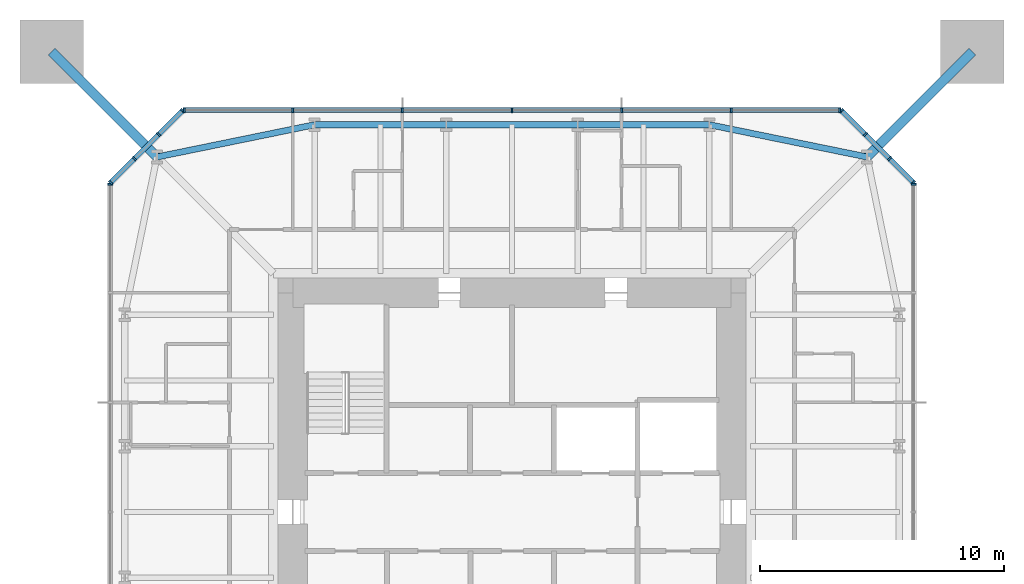
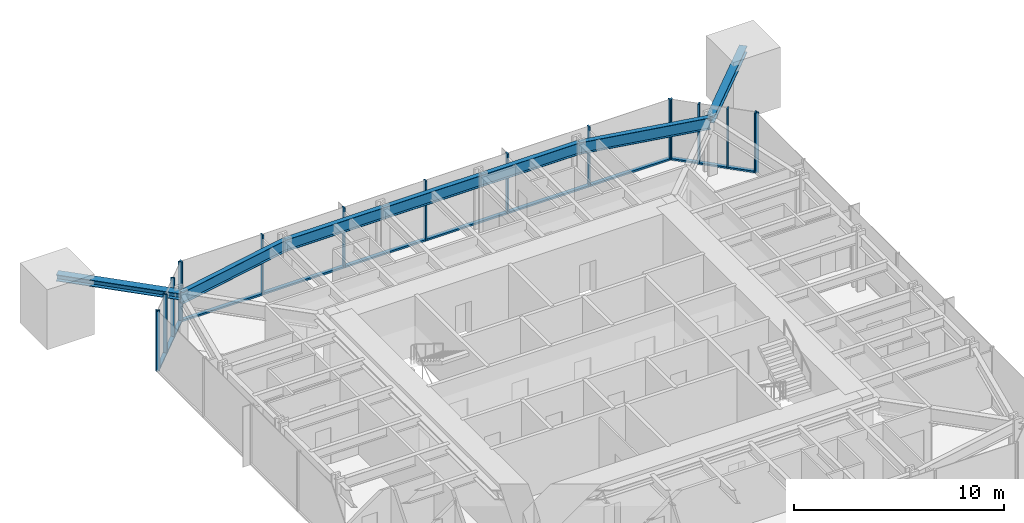
# One storey, part 4 of 9: 31 members, 5 beams, 5 elements without a shape of their own.
"""IFC4 building model written with IfcOpenShell, lengths in metres."""

from ifc_helpers import new_model, si_unit, direction, frame, origin, origin_2d, place, context, subcontext, project, spatial, rectangle, i_section, extrude, material, material_profile, profile_set, type_object, element, aggregate, save


model = new_model("IFC4")

# Units and contexts
model_context = context("Model", 3, precision=1e-05, world=origin(), true_north=direction((0.0, 1.0)))
body_context = subcontext(model_context, "Body", "Model", "MODEL_VIEW")
ifc_project = project(units=[si_unit("LENGTHUNIT", "METRE"), si_unit("AREAUNIT", "SQUARE_METRE"), si_unit("VOLUMEUNIT", "CUBIC_METRE"), si_unit("PLANEANGLEUNIT", "RADIAN"), si_unit("MASSUNIT", "GRAM", prefix="KILO")], contexts=[model_context])

# Site, building, storey
site_placement = place(None, origin())
site = spatial("IfcSite", under=ifc_project, at=site_placement, CompositionType="ELEMENT")
building_placement = place(site_placement, origin())
building = spatial("IfcBuilding", under=site, at=building_placement, Name="Iwan Alto Co-Living Towers", CompositionType="ELEMENT")
storey_placement = place(building_placement, frame((0.0, 0.0, 243.0)))
storey = spatial("IfcBuildingStorey", under=building, at=storey_placement, Name="L66", CompositionType="ELEMENT", Elevation=243.0)

# Curtain wall, member
ifc_material_1 = material(Name="Bronze aluminium unitised frame", Category="aluminium")
curtain_wall_type_1 = type_object("IfcCurtainWallType", Name="CURTAIN WALL CW-A", PredefinedType="NOTDEFINED", material=ifc_material_1)
curtain_wall_1_placement = place(storey_placement, origin())
curtain_wall_1 = element("IfcCurtainWall", 1, at=curtain_wall_1_placement, inside=storey, type_object=curtain_wall_type_1, Name="T1 curtain wall E L66", PredefinedType="NOTDEFINED")
ifc_material_2 = material(Name="Aluminium 6063-T6 bronze anodised", Category="aluminium")
ifc_material_profile_1 = material_profile(ifc_material_2, rectangle(XDim=0.199951171875, YDim=0.080078125, at=origin_2d()), Name="AL 80X200")
ifc_profile_set_1 = profile_set([ifc_material_profile_1], Name="Aluminium 6063-T6 bronze anodised")
member_type_1 = type_object("IfcMemberType", Name="CW-A MULLION 80X200", PredefinedType="MULLION", material=ifc_profile_set_1)
member_1_placement = place(storey_placement, frame((16.5, 13.4599609375, 0.0), z_axis=(0.0, 0.0, 1.0), x_axis=(-1.0, 0.0, 0.0)))
member_1 = element("IfcMember", 2, at=member_1_placement, type_object=member_type_1, Name="CW-A mullion 7", PredefinedType="MULLION", context=body_context, shape_type="SweptSolid", body=[
    extrude(rectangle(XDim=0.199951171875, YDim=0.080078125, at=origin_2d()), origin(), (0.0, 0.0, 1.0), 3.5),
])
aggregate(curtain_wall_1, [member_1])

# Curtain wall, members
curtain_wall_2_placement = place(storey_placement, origin())
curtain_wall_2 = element("IfcCurtainWall", 3, at=curtain_wall_2_placement, inside=storey, type_object=curtain_wall_type_1, Name="T1 curtain wall N L66", PredefinedType="NOTDEFINED")
member_2_placement = place(storey_placement, frame((13.4599609375, 16.5, 0.0), z_axis=(0.0, 0.0, 1.0), x_axis=(0.0, -1.0, 0.0)))
member_2 = element("IfcMember", 4, at=member_2_placement, type_object=member_type_1, Name="CW-A mullion 1", PredefinedType="MULLION", context=body_context, shape_type="SweptSolid", body=[
    extrude(rectangle(XDim=0.199951171875, YDim=0.080078125, at=origin_2d()), origin(), (0.0, 0.0, 1.0), 3.5),
])
member_3_placement = place(storey_placement, frame((9.0, 16.5, 0.0), z_axis=(0.0, 0.0, 1.0), x_axis=(0.0, -1.0, 0.0)))
member_3 = element("IfcMember", 5, at=member_3_placement, type_object=member_type_1, Name="CW-A mullion 2", PredefinedType="MULLION", context=body_context, shape_type="SweptSolid", body=[
    extrude(rectangle(XDim=0.199951171875, YDim=0.080078125, at=origin_2d()), origin(), (0.0, 0.0, 1.0), 3.5),
])
member_4_placement = place(storey_placement, frame((4.5, 16.5, 0.0), z_axis=(0.0, 0.0, 1.0), x_axis=(0.0, -1.0, 0.0)))
member_4 = element("IfcMember", 6, at=member_4_placement, type_object=member_type_1, Name="CW-A mullion 3", PredefinedType="MULLION", context=body_context, shape_type="SweptSolid", body=[
    extrude(rectangle(XDim=0.199951171875, YDim=0.080078125, at=origin_2d()), origin(), (0.0, 0.0, 1.0), 3.5),
])
member_5_placement = place(storey_placement, frame((0.0, 16.5, 0.0), z_axis=(0.0, 0.0, 1.0), x_axis=(0.0, -1.0, 0.0)))
member_5 = element("IfcMember", 7, at=member_5_placement, type_object=member_type_1, Name="CW-A mullion 4", PredefinedType="MULLION", context=body_context, shape_type="SweptSolid", body=[
    extrude(rectangle(XDim=0.199951171875, YDim=0.080078125, at=origin_2d()), origin(), (0.0, 0.0, 1.0), 3.5),
])
member_6_placement = place(storey_placement, frame((-4.5, 16.5, 0.0), z_axis=(0.0, 0.0, 1.0), x_axis=(0.0, -1.0, 0.0)))
member_6 = element("IfcMember", 8, at=member_6_placement, type_object=member_type_1, Name="CW-A mullion 5", PredefinedType="MULLION", context=body_context, shape_type="SweptSolid", body=[
    extrude(rectangle(XDim=0.199951171875, YDim=0.080078125, at=origin_2d()), origin(), (0.0, 0.0, 1.0), 3.5),
])
member_7_placement = place(storey_placement, frame((-9.0, 16.5, 0.0), z_axis=(0.0, 0.0, 1.0), x_axis=(0.0, -1.0, 0.0)))
member_7 = element("IfcMember", 9, at=member_7_placement, type_object=member_type_1, Name="CW-A mullion 6", PredefinedType="MULLION", context=body_context, shape_type="SweptSolid", body=[
    extrude(rectangle(XDim=0.199951171875, YDim=0.080078125, at=origin_2d()), origin(), (0.0, 0.0, 1.0), 3.5),
])
member_8_placement = place(storey_placement, frame((-13.4599609375, 16.5, 0.0), z_axis=(0.0, 0.0, 1.0), x_axis=(0.0, -1.0, 0.0)))
member_8 = element("IfcMember", 10, at=member_8_placement, type_object=member_type_1, Name="CW-A mullion 7", PredefinedType="MULLION", context=body_context, shape_type="SweptSolid", body=[
    extrude(rectangle(XDim=0.199951171875, YDim=0.080078125, at=origin_2d()), origin(), (0.0, 0.0, 1.0), 3.5),
])

# Curtain wall, member
curtain_wall_3_placement = place(storey_placement, origin())
curtain_wall_3 = element("IfcCurtainWall", 11, at=curtain_wall_3_placement, inside=storey, type_object=curtain_wall_type_1, Name="T1 curtain wall W L66", PredefinedType="NOTDEFINED")
member_9_placement = place(storey_placement, frame((-16.5, 13.4599609375, 0.0), z_axis=(0.0, 0.0, 1.0), x_axis=(1.0, 0.0, 0.0)))
member_9 = element("IfcMember", 12, at=member_9_placement, type_object=member_type_1, Name="CW-A mullion 1", PredefinedType="MULLION", context=body_context, shape_type="SweptSolid", body=[
    extrude(rectangle(XDim=0.199951171875, YDim=0.080078125, at=origin_2d()), origin(), (0.0, 0.0, 1.0), 3.5),
])
aggregate(curtain_wall_3, [member_9])

# Member
ifc_material_3 = material(Name="Aluminium 6063-T6 bronze anodised", Category="aluminium")
ifc_material_profile_2 = material_profile(ifc_material_3, rectangle(XDim=0.199951171875, YDim=0.10009765625, at=origin_2d()), Name="AL 200X100")
ifc_profile_set_2 = profile_set([ifc_material_profile_2], Name="Aluminium 6063-T6 bronze anodised")
member_type_2 = type_object("IfcMemberType", Name="CW-A TRANSOM 200X100", PredefinedType="USERDEFINED", material=ifc_profile_set_2)
member_10_placement = place(storey_placement, frame((13.419921875, 16.5, 0.050048828125), z_axis=(-1.0, 0.0, 0.0), x_axis=(0.0, -1.0, 0.0)))
member_10 = element("IfcMember", 13, at=member_10_placement, type_object=member_type_2, Name="CW-A transom 1.1", ObjectType="TRANSOM", PredefinedType="USERDEFINED", context=body_context, shape_type="SweptSolid", body=[
    extrude(rectangle(XDim=0.199951171875, YDim=0.10009765625, at=origin_2d()), origin(), (0.0, 0.0, 1.0), 4.3798828125),
])

member_11_placement = place(storey_placement, frame((8.9599609375, 16.5, 0.050048828125), z_axis=(-1.0, 0.0, 0.0), x_axis=(0.0, -1.0, 0.0)))
member_11 = element("IfcMember", 14, at=member_11_placement, type_object=member_type_2, Name="CW-A transom 2.1", ObjectType="TRANSOM", PredefinedType="USERDEFINED", context=body_context, shape_type="SweptSolid", body=[
    extrude(rectangle(XDim=0.199951171875, YDim=0.10009765625, at=origin_2d()), origin(), (0.0, 0.0, 1.0), 4.419921875),
])

member_12_placement = place(storey_placement, frame((4.4599609375, 16.5, 0.050048828125), z_axis=(-1.0, 0.0, 0.0), x_axis=(0.0, -1.0, 0.0)))
member_12 = element("IfcMember", 15, at=member_12_placement, type_object=member_type_2, Name="CW-A transom 3.1", ObjectType="TRANSOM", PredefinedType="USERDEFINED", context=body_context, shape_type="SweptSolid", body=[
    extrude(rectangle(XDim=0.199951171875, YDim=0.10009765625, at=origin_2d()), origin(), (0.0, 0.0, 1.0), 4.419921875),
])

member_13_placement = place(storey_placement, frame((-0.0400390625, 16.5, 0.050048828125), z_axis=(-1.0, 0.0, 0.0), x_axis=(0.0, -1.0, 0.0)))
member_13 = element("IfcMember", 16, at=member_13_placement, type_object=member_type_2, Name="CW-A transom 4.1", ObjectType="TRANSOM", PredefinedType="USERDEFINED", context=body_context, shape_type="SweptSolid", body=[
    extrude(rectangle(XDim=0.199951171875, YDim=0.10009765625, at=origin_2d()), origin(), (0.0, 0.0, 1.0), 4.419921875),
])

member_14_placement = place(storey_placement, frame((-4.5400390625, 16.5, 0.050048828125), z_axis=(-1.0, 0.0, 0.0), x_axis=(0.0, -1.0, 0.0)))
member_14 = element("IfcMember", 17, at=member_14_placement, type_object=member_type_2, Name="CW-A transom 5.1", ObjectType="TRANSOM", PredefinedType="USERDEFINED", context=body_context, shape_type="SweptSolid", body=[
    extrude(rectangle(XDim=0.199951171875, YDim=0.10009765625, at=origin_2d()), origin(), (0.0, 0.0, 1.0), 4.419921875),
])

member_15_placement = place(storey_placement, frame((-9.0400390625, 16.5, 0.050048828125), z_axis=(-1.0, 0.0, 0.0), x_axis=(0.0, -1.0, 0.0)))
member_15 = element("IfcMember", 18, at=member_15_placement, type_object=member_type_2, Name="CW-A transom 6.1", ObjectType="TRANSOM", PredefinedType="USERDEFINED", context=body_context, shape_type="SweptSolid", body=[
    extrude(rectangle(XDim=0.199951171875, YDim=0.10009765625, at=origin_2d()), origin(), (0.0, 0.0, 1.0), 4.3798828125),
])

aggregate(curtain_wall_2, [member_2, member_3, member_4, member_5, member_6, member_7, member_8, member_10, member_11, member_12, member_13, member_14, member_15])

# Curtain wall, members
ifc_material_4 = material(Name="Bronze aluminium unitised frame", Category="aluminium")
curtain_wall_type_2 = type_object("IfcCurtainWallType", Name="CURTAIN WALL CW-B", PredefinedType="NOTDEFINED", material=ifc_material_4)
curtain_wall_4_placement = place(storey_placement, origin())
curtain_wall_4 = element("IfcCurtainWall", 19, at=curtain_wall_4_placement, inside=storey, type_object=curtain_wall_type_2, Name="T1 chamfer curtain wall NE L66", PredefinedType="NOTDEFINED")
ifc_material_5 = material(Name="Aluminium 6063-T6 bronze anodised", Category="aluminium")
ifc_material_profile_3 = material_profile(ifc_material_5, rectangle(XDim=0.199951171875, YDim=0.080078125, at=origin_2d()), Name="AL 80X200")
ifc_profile_set_3 = profile_set([ifc_material_profile_3], Name="Aluminium 6063-T6 bronze anodised")
member_type_3 = type_object("IfcMemberType", Name="CW-B MULLION 80X200", PredefinedType="MULLION", material=ifc_profile_set_3)
member_16_placement = place(storey_placement, frame((16.4716796875, 13.5283203125, 0.0), z_axis=(0.0, 0.0, 1.0), x_axis=(-0.707106781187, -0.707106781187, 0.0)))
member_16 = element("IfcMember", 20, at=member_16_placement, type_object=member_type_3, Name="CW-B mullion 1", PredefinedType="MULLION", context=body_context, shape_type="SweptSolid", body=[
    extrude(rectangle(XDim=0.199951171875, YDim=0.080078125, at=origin_2d()), origin(), (0.0, 0.0, 1.0), 3.5),
])
member_17_placement = place(storey_placement, frame((15.5, 14.5, 0.0), z_axis=(0.0, 0.0, 1.0), x_axis=(-0.707106781187, -0.707106781187, 0.0)))
member_17 = element("IfcMember", 21, at=member_17_placement, type_object=member_type_3, Name="CW-B mullion 2", PredefinedType="MULLION", context=body_context, shape_type="SweptSolid", body=[
    extrude(rectangle(XDim=0.199951171875, YDim=0.080078125, at=origin_2d()), origin(), (0.0, 0.0, 1.0), 3.5),
])
member_18_placement = place(storey_placement, frame((14.5, 15.5, 0.0), z_axis=(0.0, 0.0, 1.0), x_axis=(-0.707106781187, -0.707106781187, 0.0)))
member_18 = element("IfcMember", 22, at=member_18_placement, type_object=member_type_3, Name="CW-B mullion 3", PredefinedType="MULLION", context=body_context, shape_type="SweptSolid", body=[
    extrude(rectangle(XDim=0.199951171875, YDim=0.080078125, at=origin_2d()), origin(), (0.0, 0.0, 1.0), 3.5),
])
member_19_placement = place(storey_placement, frame((13.5283203125, 16.4716796875, 0.0), z_axis=(0.0, 0.0, 1.0), x_axis=(-0.707106781187, -0.707106781187, 0.0)))
member_19 = element("IfcMember", 23, at=member_19_placement, type_object=member_type_3, Name="CW-B mullion 4", PredefinedType="MULLION", context=body_context, shape_type="SweptSolid", body=[
    extrude(rectangle(XDim=0.199951171875, YDim=0.080078125, at=origin_2d()), origin(), (0.0, 0.0, 1.0), 3.5),
])

curtain_wall_5_placement = place(storey_placement, origin())
curtain_wall_5 = element("IfcCurtainWall", 24, at=curtain_wall_5_placement, inside=storey, type_object=curtain_wall_type_2, Name="T1 chamfer curtain wall NW L66", PredefinedType="NOTDEFINED")
member_20_placement = place(storey_placement, frame((-13.5283203125, 16.4716796875, 0.0), z_axis=(0.0, 0.0, 1.0), x_axis=(0.707106781187, -0.707106781187, 0.0)))
member_20 = element("IfcMember", 25, at=member_20_placement, type_object=member_type_3, Name="CW-B mullion 1", PredefinedType="MULLION", context=body_context, shape_type="SweptSolid", body=[
    extrude(rectangle(XDim=0.199951171875, YDim=0.080078125, at=origin_2d()), origin(), (0.0, 0.0, 1.0), 3.5),
])
member_21_placement = place(storey_placement, frame((-14.5, 15.5, 0.0), z_axis=(0.0, 0.0, 1.0), x_axis=(0.707106781187, -0.707106781187, 0.0)))
member_21 = element("IfcMember", 26, at=member_21_placement, type_object=member_type_3, Name="CW-B mullion 2", PredefinedType="MULLION", context=body_context, shape_type="SweptSolid", body=[
    extrude(rectangle(XDim=0.199951171875, YDim=0.080078125, at=origin_2d()), origin(), (0.0, 0.0, 1.0), 3.5),
])
member_22_placement = place(storey_placement, frame((-15.5, 14.5, 0.0), z_axis=(0.0, 0.0, 1.0), x_axis=(0.707106781187, -0.707106781187, 0.0)))
member_22 = element("IfcMember", 27, at=member_22_placement, type_object=member_type_3, Name="CW-B mullion 3", PredefinedType="MULLION", context=body_context, shape_type="SweptSolid", body=[
    extrude(rectangle(XDim=0.199951171875, YDim=0.080078125, at=origin_2d()), origin(), (0.0, 0.0, 1.0), 3.5),
])
member_23_placement = place(storey_placement, frame((-16.4716796875, 13.5283203125, 0.0), z_axis=(0.0, 0.0, 1.0), x_axis=(0.707106781187, -0.707106781187, 0.0)))
member_23 = element("IfcMember", 28, at=member_23_placement, type_object=member_type_3, Name="CW-B mullion 4", PredefinedType="MULLION", context=body_context, shape_type="SweptSolid", body=[
    extrude(rectangle(XDim=0.199951171875, YDim=0.080078125, at=origin_2d()), origin(), (0.0, 0.0, 1.0), 3.5),
])

# Member
ifc_material_6 = material(Name="Aluminium 6063-T6 bronze anodised", Category="aluminium")
ifc_material_profile_4 = material_profile(ifc_material_6, rectangle(XDim=0.199951171875, YDim=0.10009765625, at=origin_2d()), Name="AL 200X100")
ifc_profile_set_4 = profile_set([ifc_material_profile_4], Name="Aluminium 6063-T6 bronze anodised")
member_type_4 = type_object("IfcMemberType", Name="CW-B TRANSOM 200X100", PredefinedType="USERDEFINED", material=ifc_profile_set_4)
member_24_placement = place(storey_placement, frame((16.443359375, 13.556640625, 0.050048828125), z_axis=(-0.707106781187, 0.707106781187, 0.0), x_axis=(-0.707106781187, -0.707106781187, 0.0)))
member_24 = element("IfcMember", 29, at=member_24_placement, type_object=member_type_4, Name="CW-B transom 1.1", ObjectType="TRANSOM", PredefinedType="USERDEFINED", context=body_context, shape_type="SweptSolid", body=[
    extrude(rectangle(XDim=0.199951171875, YDim=0.10009765625, at=origin_2d()), origin(), (0.0, 0.0, 1.0), 1.2939453125),
])

member_25_placement = place(storey_placement, frame((15.4716796875, 14.5283203125, 0.050048828125), z_axis=(-0.707106781187, 0.707106781187, 0.0), x_axis=(-0.707106781187, -0.707106781187, 0.0)))
member_25 = element("IfcMember", 30, at=member_25_placement, type_object=member_type_4, Name="CW-B transom 2.1", ObjectType="TRANSOM", PredefinedType="USERDEFINED", context=body_context, shape_type="SweptSolid", body=[
    extrude(rectangle(XDim=0.199951171875, YDim=0.10009765625, at=origin_2d()), origin(), (0.0, 0.0, 1.0), 1.334228515625),
])

member_26_placement = place(storey_placement, frame((14.4716796875, 15.5283203125, 0.050048828125), z_axis=(-0.707106781187, 0.707106781187, 0.0), x_axis=(-0.707106781187, -0.707106781187, 0.0)))
member_26 = element("IfcMember", 31, at=member_26_placement, type_object=member_type_4, Name="CW-B transom 3.1", ObjectType="TRANSOM", PredefinedType="USERDEFINED", context=body_context, shape_type="SweptSolid", body=[
    extrude(rectangle(XDim=0.199951171875, YDim=0.10009765625, at=origin_2d()), origin(), (0.0, 0.0, 1.0), 1.2939453125),
])

aggregate(curtain_wall_4, [member_16, member_17, member_18, member_19, member_24, member_25, member_26])

member_27_placement = place(storey_placement, frame((-13.556640625, 16.443359375, 0.050048828125), z_axis=(-0.707106781187, -0.707106781187, 0.0), x_axis=(0.707106781187, -0.707106781187, 0.0)))
member_27 = element("IfcMember", 32, at=member_27_placement, type_object=member_type_4, Name="CW-B transom 1.1", ObjectType="TRANSOM", PredefinedType="USERDEFINED", context=body_context, shape_type="SweptSolid", body=[
    extrude(rectangle(XDim=0.199951171875, YDim=0.10009765625, at=origin_2d()), origin(), (0.0, 0.0, 1.0), 1.2939453125),
])

member_28_placement = place(storey_placement, frame((-14.5283203125, 15.4716796875, 0.050048828125), z_axis=(-0.707106781187, -0.707106781187, 0.0), x_axis=(0.707106781187, -0.707106781187, 0.0)))
member_28 = element("IfcMember", 33, at=member_28_placement, type_object=member_type_4, Name="CW-B transom 2.1", ObjectType="TRANSOM", PredefinedType="USERDEFINED", context=body_context, shape_type="SweptSolid", body=[
    extrude(rectangle(XDim=0.199951171875, YDim=0.10009765625, at=origin_2d()), origin(), (0.0, 0.0, 1.0), 1.334228515625),
])

member_29_placement = place(storey_placement, frame((-15.5283203125, 14.4716796875, 0.050048828125), z_axis=(-0.707106781187, -0.707106781187, 0.0), x_axis=(0.707106781187, -0.707106781187, 0.0)))
member_29 = element("IfcMember", 34, at=member_29_placement, type_object=member_type_4, Name="CW-B transom 3.1", ObjectType="TRANSOM", PredefinedType="USERDEFINED", context=body_context, shape_type="SweptSolid", body=[
    extrude(rectangle(XDim=0.199951171875, YDim=0.10009765625, at=origin_2d()), origin(), (0.0, 0.0, 1.0), 1.2939453125),
])

aggregate(curtain_wall_5, [member_20, member_21, member_22, member_23, member_27, member_28, member_29])

# Beams
ifc_material_7 = material(Name="Steel ASTM A992 Gr 50", Category="steel")
ifc_material_profile_5 = material_profile(ifc_material_7, i_section(OverallWidth=0.25390625, OverallDepth=0.683349609375, WebThickness=0.012451171875, FlangeThickness=0.018798828125, at=origin_2d()), Name="W27X94")
ifc_profile_set_5 = profile_set([ifc_material_profile_5], Name="Steel ASTM A992 Gr 50")
beam_type = type_object("IfcBeamType", Name="T1 EDGE BEAM W27X94", PredefinedType="BEAM", material=ifc_profile_set_5)
beam_1_placement = place(storey_placement, frame((14.57568359375, 14.57568359375, 2.928466796875), z_axis=(-0.979724820103, 0.200347889618, 0.0), x_axis=(-0.200347889618, -0.979724820103, 0.0)))
element("IfcBeam", 35, at=beam_1_placement, inside=storey, type_object=beam_type, Name="T1 edge beam CNE L67", PredefinedType="BEAM", context=body_context, shape_type="SweptSolid", body=[
    extrude(i_section(OverallWidth=0.25390625, OverallDepth=0.683349609375, WebThickness=0.012451171875, FlangeThickness=0.018798828125, at=origin_2d()), origin(), (0.0, 0.0, 1.0), 6.609619140625),
])
beam_2_placement = place(storey_placement, frame((8.10009765625, 15.89990234375, 2.928466796875), z_axis=(-1.0, 0.0, 0.0), x_axis=(0.0, -1.0, 0.0)))
element("IfcBeam", 36, at=beam_2_placement, inside=storey, type_object=beam_type, Name="T1 edge beam N1 L67", PredefinedType="BEAM", context=body_context, shape_type="SweptSolid", body=[
    extrude(i_section(OverallWidth=0.25390625, OverallDepth=0.683349609375, WebThickness=0.012451171875, FlangeThickness=0.018798828125, at=origin_2d()), origin(), (0.0, 0.0, 1.0), 5.400146484375),
])
beam_3_placement = place(storey_placement, frame((2.699951171875, 15.89990234375, 2.928466796875), z_axis=(-1.0, 0.0, 0.0), x_axis=(0.0, -1.0, 0.0)))
element("IfcBeam", 37, at=beam_3_placement, inside=storey, type_object=beam_type, Name="T1 edge beam N2 L67", PredefinedType="BEAM", context=body_context, shape_type="SweptSolid", body=[
    extrude(i_section(OverallWidth=0.25390625, OverallDepth=0.683349609375, WebThickness=0.012451171875, FlangeThickness=0.018798828125, at=origin_2d()), origin(), (0.0, 0.0, 1.0), 5.39990234375),
])
beam_4_placement = place(storey_placement, frame((-2.699951171875, 15.89990234375, 2.928466796875), z_axis=(-1.0, 0.0, 0.0), x_axis=(0.0, -1.0, 0.0)))
element("IfcBeam", 38, at=beam_4_placement, inside=storey, type_object=beam_type, Name="T1 edge beam N3 L67", PredefinedType="BEAM", context=body_context, shape_type="SweptSolid", body=[
    extrude(i_section(OverallWidth=0.25390625, OverallDepth=0.683349609375, WebThickness=0.012451171875, FlangeThickness=0.018798828125, at=origin_2d()), origin(), (0.0, 0.0, 1.0), 5.400146484375),
])
beam_5_placement = place(storey_placement, frame((-8.10009765625, 15.89990234375, 2.928466796875), z_axis=(-0.979724820103, -0.200347889618, 0.0), x_axis=(0.200347889618, -0.979724820103, 0.0)))
element("IfcBeam", 39, at=beam_5_placement, inside=storey, type_object=beam_type, Name="T1 edge beam N4 L67", PredefinedType="BEAM", context=body_context, shape_type="SweptSolid", body=[
    extrude(i_section(OverallWidth=0.25390625, OverallDepth=0.683349609375, WebThickness=0.012451171875, FlangeThickness=0.018798828125, at=origin_2d()), origin(), (0.0, 0.0, 1.0), 6.609619140625),
])

# Members
ifc_material_8 = material(Name="Steel ASTM A992 Gr 50", Category="steel")
ifc_material_profile_6 = material_profile(ifc_material_8, i_section(OverallWidth=0.393798828125, OverallDepth=0.3759765625, WebThickness=0.017333984375, FlangeThickness=0.027587890625, at=origin_2d()), Name="W14X145")
ifc_profile_set_6 = profile_set([ifc_material_profile_6], Name="Steel ASTM A992 Gr 50")
member_type_5 = type_object("IfcMemberType", Name="T1 MEGA COLUMN FLOOR TIE W14X145", PredefinedType="STRUT", material=ifc_profile_set_6)
for number, where, z_axis, x_axis, name in (
    (40, (18.89990234375, 18.89990234375, 3.08203125), (-0.707106781187, -0.707106781187, 0.0), (0.707106781187, -0.707106781187, 0.0), "T1 mega column floor tie NE L67"),
    (41, (-18.89990234375, 18.89990234375, 3.08203125), (0.707106781187, -0.707106781187, 0.0), (0.707106781187, 0.707106781187, 0.0), "T1 mega column floor tie NW L67"),
):
    element("IfcMember", number, at=place(storey_placement, frame(where, z_axis=z_axis, x_axis=x_axis)), inside=storey, type_object=member_type_5, Name=name, PredefinedType="STRUT", context=body_context, shape_type="SweptSolid", body=[
        extrude(i_section(OverallWidth=0.393798828125, OverallDepth=0.3759765625, WebThickness=0.017333984375, FlangeThickness=0.027587890625, at=origin_2d()), origin(), (0.0, 0.0, 1.0), 6.115478515625),
    ])

save(model, "model.ifc")
